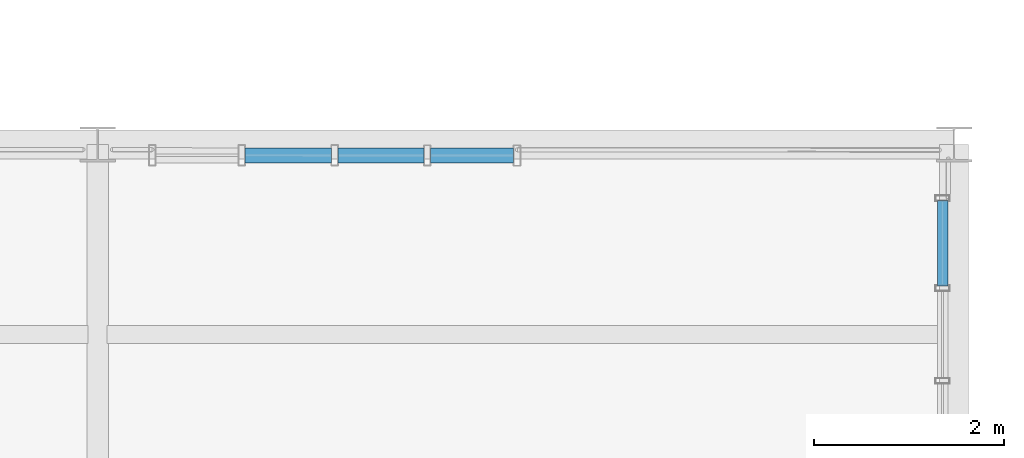
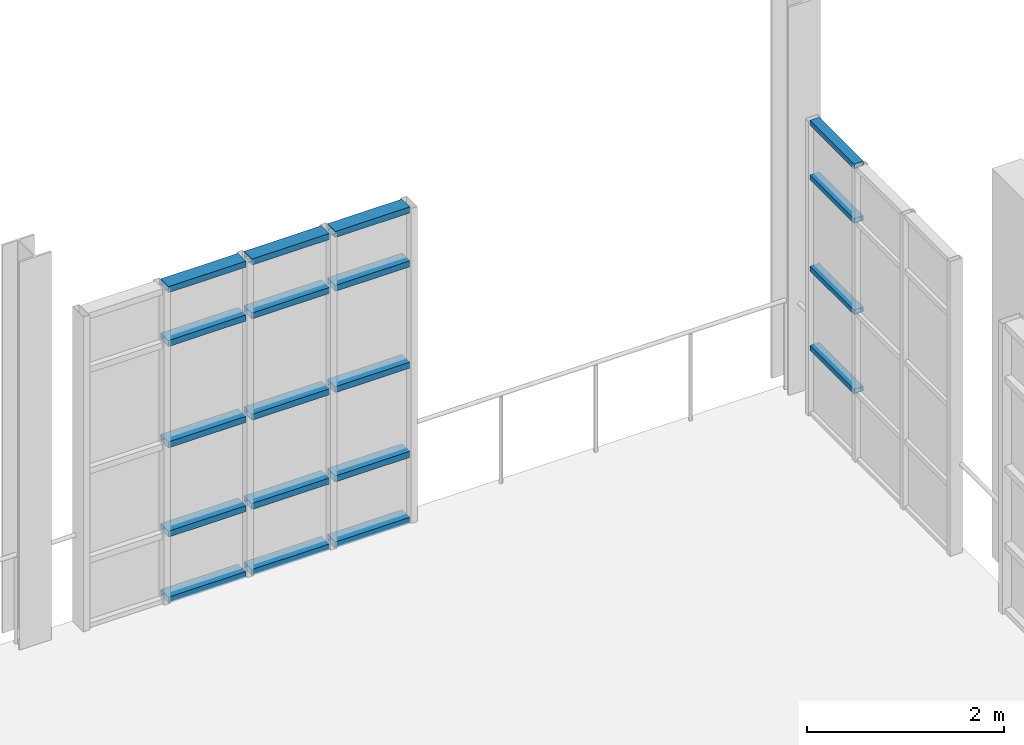
# One storey, part 77 of 122: 19 members, 2 elements without a shape of their own.
"""IFC4 building model written with IfcOpenShell, lengths in metres."""

from ifc_helpers import new_model, si_unit, direction, frame, origin, origin_2d, place, context, subcontext, project, spatial, hollow_rectangle, extrude, material, layer, layer_set, material_profile, profile_set, type_object, element, aggregate, save


model = new_model("IFC4")

# Units and contexts
model_context = context("Model", 3, precision=1e-05, world=origin(), true_north=direction((0.0, 1.0)))
body_context = subcontext(model_context, "Body", "Model", "MODEL_VIEW")
ifc_project = project(units=[si_unit("LENGTHUNIT", "METRE"), si_unit("AREAUNIT", "SQUARE_METRE"), si_unit("VOLUMEUNIT", "CUBIC_METRE"), si_unit("PLANEANGLEUNIT", "RADIAN"), si_unit("MASSUNIT", "GRAM", prefix="KILO"), si_unit("THERMODYNAMICTEMPERATUREUNIT", "KELVIN"), si_unit("POWERUNIT", "WATT")], contexts=[model_context])

# Site, building, storey
site_placement = place(None, origin())
site = spatial("IfcSite", under=ifc_project, at=site_placement, CompositionType="ELEMENT")
building_placement = place(site_placement, origin())
building = spatial("IfcBuilding", under=site, at=building_placement, Name="Zelmaris Science Centre", CompositionType="ELEMENT")
storey_placement = place(building_placement, frame((0.0, 0.0, 10.800048828125)))
storey = spatial("IfcBuildingStorey", under=building, at=storey_placement, Name="L02", CompositionType="ELEMENT", Elevation=10.800048828125)

# Curtain wall, members
ifc_material = material(Name="Anodised architectural aluminium 6063-T6", Category="aluminium")
ifc_layer_1 = layer(ifc_material, 0.219970703125, Name="Anodised architectural aluminium 6063-T6")
ifc_layer_set_1 = layer_set([ifc_layer_1], Name="Anodised architectural aluminium 6063-T6")
curtain_wall_type_1 = type_object("IfcCurtainWallType", Name="Curtain Wall CW-04", PredefinedType="USERDEFINED", material=ifc_layer_set_1)
curtain_wall_1_placement = place(storey_placement, origin())
curtain_wall_1 = element("IfcCurtainWall", 1, at=curtain_wall_1_placement, inside=storey, type_object=curtain_wall_type_1, Name="L02 Unitised curtain wall 224", ObjectType="GLAZED CURTAIN WALL", PredefinedType="USERDEFINED")
ifc_material_profile_1 = material_profile(ifc_material, hollow_rectangle(XDim=0.06005859375, YDim=0.110107421875, WallThickness=0.0029296875, at=origin_2d()), Name="ALU-TRN-60X110")
ifc_profile_set_1 = profile_set([ifc_material_profile_1], Name="Anodised architectural aluminium 6063-T6")
member_type_1 = type_object("IfcMemberType", Name="ALU-TRN-60X110", PredefinedType="USERDEFINED", material=ifc_profile_set_1)
member_1_placement = place(storey_placement, frame((143.8798828125, 55.407958984375, 0.8349609375), z_axis=(0.0, -1.0, 0.0), x_axis=(0.0, 0.0, 1.0)))
member_1 = element("IfcMember", 2, at=member_1_placement, type_object=member_type_1, Name="CW-04 transom 1.2", ObjectType="TRANSOM", PredefinedType="USERDEFINED", context=body_context, shape_type="SweptSolid", body=[
    extrude(hollow_rectangle(XDim=0.06005859375, YDim=0.110107421875, WallThickness=0.0029296875, at=origin_2d()), origin(), (0.0, 0.0, 1.0), 0.895263671875),
])
member_2_placement = place(storey_placement, frame((143.8798828125, 55.407958984375, 1.814453125), z_axis=(0.0, -1.0, 0.0), x_axis=(0.0, 0.0, 1.0)))
member_2 = element("IfcMember", 3, at=member_2_placement, type_object=member_type_1, Name="CW-04 transom 1.3", ObjectType="TRANSOM", PredefinedType="USERDEFINED", context=body_context, shape_type="SweptSolid", body=[
    extrude(hollow_rectangle(XDim=0.06005859375, YDim=0.110107421875, WallThickness=0.0029296875, at=origin_2d()), origin(), (0.0, 0.0, 1.0), 0.895263671875),
])
member_3_placement = place(storey_placement, frame((143.8798828125, 55.407958984375, 2.94384765625), z_axis=(0.0, -1.0, 0.0), x_axis=(0.0, 0.0, 1.0)))
member_3 = element("IfcMember", 4, at=member_3_placement, type_object=member_type_1, Name="CW-04 transom 1.4", ObjectType="TRANSOM", PredefinedType="USERDEFINED", context=body_context, shape_type="SweptSolid", body=[
    extrude(hollow_rectangle(XDim=0.06005859375, YDim=0.110107421875, WallThickness=0.0029296875, at=origin_2d()), origin(), (0.0, 0.0, 1.0), 0.895263671875),
])
member_4_placement = place(storey_placement, frame((143.8798828125, 55.407958984375, 3.617919921875), z_axis=(0.0, -1.0, 0.0), x_axis=(0.0, 0.0, 1.0)))
member_4 = element("IfcMember", 5, at=member_4_placement, type_object=member_type_1, Name="CW-04 transom 1.5", ObjectType="TRANSOM", PredefinedType="USERDEFINED", context=body_context, shape_type="SweptSolid", body=[
    extrude(hollow_rectangle(XDim=0.06005859375, YDim=0.110107421875, WallThickness=0.0029296875, at=origin_2d()), origin(), (0.0, 0.0, 1.0), 0.895263671875),
])
aggregate(curtain_wall_1, [member_1, member_2, member_3, member_4])

ifc_layer_2 = layer(ifc_material, 0.199951171875, Name="Anodised architectural aluminium 6063-T6")
ifc_layer_set_2 = layer_set([ifc_layer_2], Name="Anodised architectural aluminium 6063-T6")
curtain_wall_type_2 = type_object("IfcCurtainWallType", Name="Curtain Wall CW-02", PredefinedType="USERDEFINED", material=ifc_layer_set_2)
curtain_wall_2_placement = place(storey_placement, origin())
curtain_wall_2 = element("IfcCurtainWall", 6, at=curtain_wall_2_placement, inside=storey, type_object=curtain_wall_type_2, Name="L02 Unitised curtain wall 222", ObjectType="GLAZED CURTAIN WALL", PredefinedType="USERDEFINED")
ifc_material_profile_2 = material_profile(ifc_material, hollow_rectangle(XDim=0.074951171875, YDim=0.159912109375, WallThickness=0.00390625, at=origin_2d()), Name="ALU-TRN-75X160")
ifc_profile_set_2 = profile_set([ifc_material_profile_2], Name="Anodised architectural aluminium 6063-T6")
member_type_2 = type_object("IfcMemberType", Name="ALU-TRN-75X160", PredefinedType="USERDEFINED", material=ifc_profile_set_2)
member_5_placement = place(storey_placement, frame((136.54833984375, 55.883544921875, 0.0185546875), z_axis=(0.999999855397, -0.000537778895, 0.0), x_axis=(0.0, 0.0, 1.0)))
member_5 = element("IfcMember", 7, at=member_5_placement, type_object=member_type_2, Name="CW-02 transom 2.1", ObjectType="TRANSOM", PredefinedType="USERDEFINED", context=body_context, shape_type="SweptSolid", body=[
    extrude(hollow_rectangle(XDim=0.074951171875, YDim=0.159912109375, WallThickness=0.00390625, at=origin_2d()), origin(), (0.0, 0.0, 1.0), 0.907958984375),
])
member_6_placement = place(storey_placement, frame((136.54833984375, 55.883544921875, 0.8349609375), z_axis=(0.999999855397, -0.000537778895, 0.0), x_axis=(0.0, 0.0, 1.0)))
member_6 = element("IfcMember", 8, at=member_6_placement, type_object=member_type_2, Name="CW-02 transom 2.2", ObjectType="TRANSOM", PredefinedType="USERDEFINED", context=body_context, shape_type="SweptSolid", body=[
    extrude(hollow_rectangle(XDim=0.074951171875, YDim=0.159912109375, WallThickness=0.00390625, at=origin_2d()), origin(), (0.0, 0.0, 1.0), 0.907958984375),
])
member_7_placement = place(storey_placement, frame((136.54833984375, 55.883544921875, 1.93896484375), z_axis=(0.999999855397, -0.000537778895, 0.0), x_axis=(0.0, 0.0, 1.0)))
member_7 = element("IfcMember", 9, at=member_7_placement, type_object=member_type_2, Name="CW-02 transom 2.3", ObjectType="TRANSOM", PredefinedType="USERDEFINED", context=body_context, shape_type="SweptSolid", body=[
    extrude(hollow_rectangle(XDim=0.074951171875, YDim=0.159912109375, WallThickness=0.00390625, at=origin_2d()), origin(), (0.0, 0.0, 1.0), 0.907958984375),
])
member_8_placement = place(storey_placement, frame((136.54833984375, 55.883544921875, 3.19287109375), z_axis=(0.999999855397, -0.000537778895, 0.0), x_axis=(0.0, 0.0, 1.0)))
member_8 = element("IfcMember", 10, at=member_8_placement, type_object=member_type_2, Name="CW-02 transom 2.4", ObjectType="TRANSOM", PredefinedType="USERDEFINED", context=body_context, shape_type="SweptSolid", body=[
    extrude(hollow_rectangle(XDim=0.074951171875, YDim=0.159912109375, WallThickness=0.00390625, at=origin_2d()), origin(), (0.0, 0.0, 1.0), 0.907958984375),
])
member_9_placement = place(storey_placement, frame((136.54833984375, 55.883544921875, 3.859375), z_axis=(0.999999855397, -0.000537778895, 0.0), x_axis=(0.0, 0.0, 1.0)))
member_9 = element("IfcMember", 11, at=member_9_placement, type_object=member_type_2, Name="CW-02 transom 2.5", ObjectType="TRANSOM", PredefinedType="USERDEFINED", context=body_context, shape_type="SweptSolid", body=[
    extrude(hollow_rectangle(XDim=0.074951171875, YDim=0.159912109375, WallThickness=0.00390625, at=origin_2d()), origin(), (0.0, 0.0, 1.0), 0.907958984375),
])
member_10_placement = place(storey_placement, frame((137.5234375, 55.883056640625, 0.0185546875), z_axis=(0.999999963849, -0.000268889477, 0.0), x_axis=(0.0, 0.0, 1.0)))
member_10 = element("IfcMember", 12, at=member_10_placement, type_object=member_type_2, Name="CW-02 transom 3.1", ObjectType="TRANSOM", PredefinedType="USERDEFINED", context=body_context, shape_type="SweptSolid", body=[
    extrude(hollow_rectangle(XDim=0.074951171875, YDim=0.159912109375, WallThickness=0.00390625, at=origin_2d()), origin(), (0.0, 0.0, 1.0), 0.907958984375),
])
member_11_placement = place(storey_placement, frame((137.5234375, 55.883056640625, 0.8349609375), z_axis=(0.999999963849, -0.000268889477, 0.0), x_axis=(0.0, 0.0, 1.0)))
member_11 = element("IfcMember", 13, at=member_11_placement, type_object=member_type_2, Name="CW-02 transom 3.2", ObjectType="TRANSOM", PredefinedType="USERDEFINED", context=body_context, shape_type="SweptSolid", body=[
    extrude(hollow_rectangle(XDim=0.074951171875, YDim=0.159912109375, WallThickness=0.00390625, at=origin_2d()), origin(), (0.0, 0.0, 1.0), 0.907958984375),
])
member_12_placement = place(storey_placement, frame((137.5234375, 55.883056640625, 1.93896484375), z_axis=(0.999999963849, -0.000268889477, 0.0), x_axis=(0.0, 0.0, 1.0)))
member_12 = element("IfcMember", 14, at=member_12_placement, type_object=member_type_2, Name="CW-02 transom 3.3", ObjectType="TRANSOM", PredefinedType="USERDEFINED", context=body_context, shape_type="SweptSolid", body=[
    extrude(hollow_rectangle(XDim=0.074951171875, YDim=0.159912109375, WallThickness=0.00390625, at=origin_2d()), origin(), (0.0, 0.0, 1.0), 0.907958984375),
])
member_13_placement = place(storey_placement, frame((137.5234375, 55.883056640625, 3.19287109375), z_axis=(0.999999963849, -0.000268889477, 0.0), x_axis=(0.0, 0.0, 1.0)))
member_13 = element("IfcMember", 15, at=member_13_placement, type_object=member_type_2, Name="CW-02 transom 3.4", ObjectType="TRANSOM", PredefinedType="USERDEFINED", context=body_context, shape_type="SweptSolid", body=[
    extrude(hollow_rectangle(XDim=0.074951171875, YDim=0.159912109375, WallThickness=0.00390625, at=origin_2d()), origin(), (0.0, 0.0, 1.0), 0.907958984375),
])
member_14_placement = place(storey_placement, frame((137.5234375, 55.883056640625, 3.859375), z_axis=(0.999999963849, -0.000268889477, 0.0), x_axis=(0.0, 0.0, 1.0)))
member_14 = element("IfcMember", 16, at=member_14_placement, type_object=member_type_2, Name="CW-02 transom 3.5", ObjectType="TRANSOM", PredefinedType="USERDEFINED", context=body_context, shape_type="SweptSolid", body=[
    extrude(hollow_rectangle(XDim=0.074951171875, YDim=0.159912109375, WallThickness=0.00390625, at=origin_2d()), origin(), (0.0, 0.0, 1.0), 0.907958984375),
])
member_15_placement = place(storey_placement, frame((138.498291015625, 55.882568359375, 0.0185546875), z_axis=(0.999999961031, -0.000279173635, 0.0), x_axis=(0.0, 0.0, 1.0)))
member_15 = element("IfcMember", 17, at=member_15_placement, type_object=member_type_2, Name="CW-02 transom 4.1", ObjectType="TRANSOM", PredefinedType="USERDEFINED", context=body_context, shape_type="SweptSolid", body=[
    extrude(hollow_rectangle(XDim=0.074951171875, YDim=0.159912109375, WallThickness=0.00390625, at=origin_2d()), origin(), (0.0, 0.0, 1.0), 0.87451171875),
])
member_16_placement = place(storey_placement, frame((138.498291015625, 55.882568359375, 0.8349609375), z_axis=(0.999999961031, -0.000279173635, 0.0), x_axis=(0.0, 0.0, 1.0)))
member_16 = element("IfcMember", 18, at=member_16_placement, type_object=member_type_2, Name="CW-02 transom 4.2", ObjectType="TRANSOM", PredefinedType="USERDEFINED", context=body_context, shape_type="SweptSolid", body=[
    extrude(hollow_rectangle(XDim=0.074951171875, YDim=0.159912109375, WallThickness=0.00390625, at=origin_2d()), origin(), (0.0, 0.0, 1.0), 0.87451171875),
])
member_17_placement = place(storey_placement, frame((138.498291015625, 55.882568359375, 1.93896484375), z_axis=(0.999999961031, -0.000279173635, 0.0), x_axis=(0.0, 0.0, 1.0)))
member_17 = element("IfcMember", 19, at=member_17_placement, type_object=member_type_2, Name="CW-02 transom 4.3", ObjectType="TRANSOM", PredefinedType="USERDEFINED", context=body_context, shape_type="SweptSolid", body=[
    extrude(hollow_rectangle(XDim=0.074951171875, YDim=0.159912109375, WallThickness=0.00390625, at=origin_2d()), origin(), (0.0, 0.0, 1.0), 0.87451171875),
])
member_18_placement = place(storey_placement, frame((138.498291015625, 55.882568359375, 3.19287109375), z_axis=(0.999999961031, -0.000279173635, 0.0), x_axis=(0.0, 0.0, 1.0)))
member_18 = element("IfcMember", 20, at=member_18_placement, type_object=member_type_2, Name="CW-02 transom 4.4", ObjectType="TRANSOM", PredefinedType="USERDEFINED", context=body_context, shape_type="SweptSolid", body=[
    extrude(hollow_rectangle(XDim=0.074951171875, YDim=0.159912109375, WallThickness=0.00390625, at=origin_2d()), origin(), (0.0, 0.0, 1.0), 0.87451171875),
])
member_19_placement = place(storey_placement, frame((138.498291015625, 55.882568359375, 3.859375), z_axis=(0.999999961031, -0.000279173635, 0.0), x_axis=(0.0, 0.0, 1.0)))
member_19 = element("IfcMember", 21, at=member_19_placement, type_object=member_type_2, Name="CW-02 transom 4.5", ObjectType="TRANSOM", PredefinedType="USERDEFINED", context=body_context, shape_type="SweptSolid", body=[
    extrude(hollow_rectangle(XDim=0.074951171875, YDim=0.159912109375, WallThickness=0.00390625, at=origin_2d()), origin(), (0.0, 0.0, 1.0), 0.87451171875),
])
aggregate(curtain_wall_2, [member_5, member_6, member_7, member_8, member_9, member_10, member_11, member_12, member_13, member_14, member_15, member_16, member_17, member_18, member_19])

save(model, "model.ifc")
